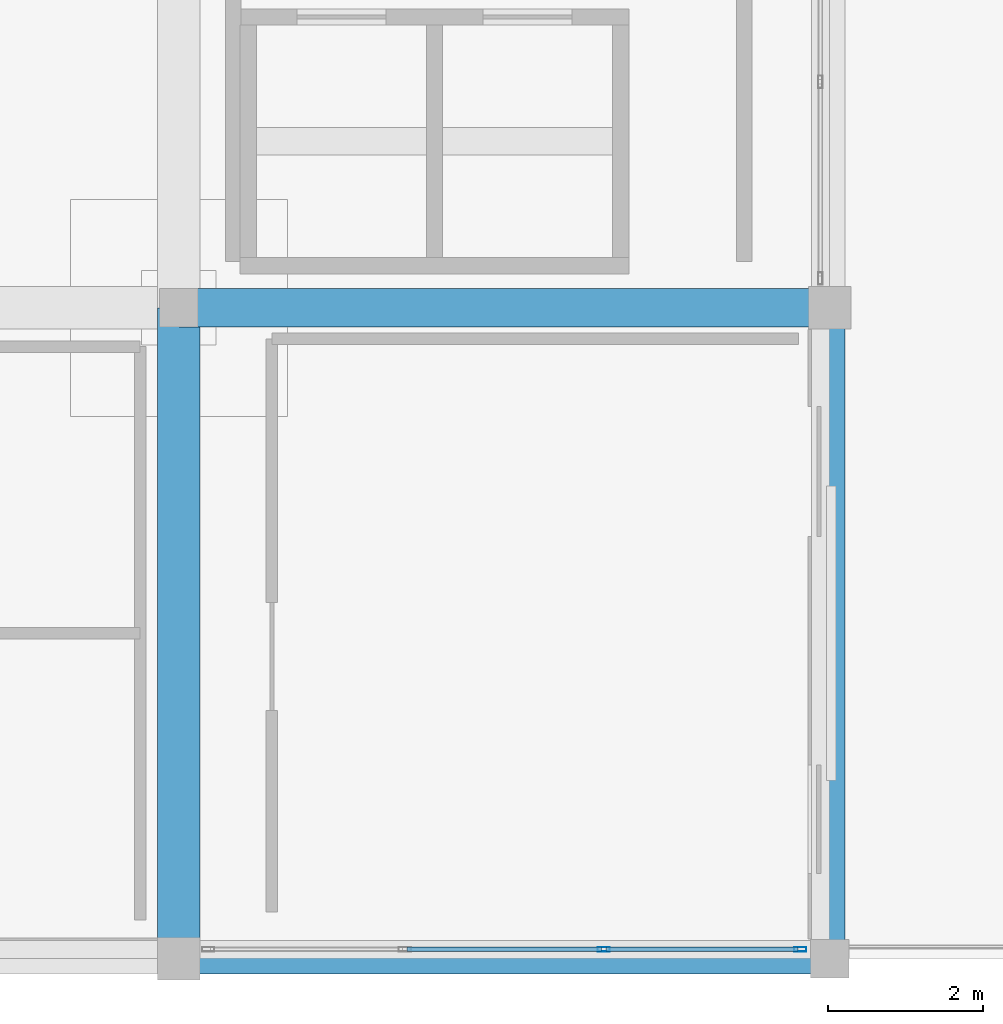
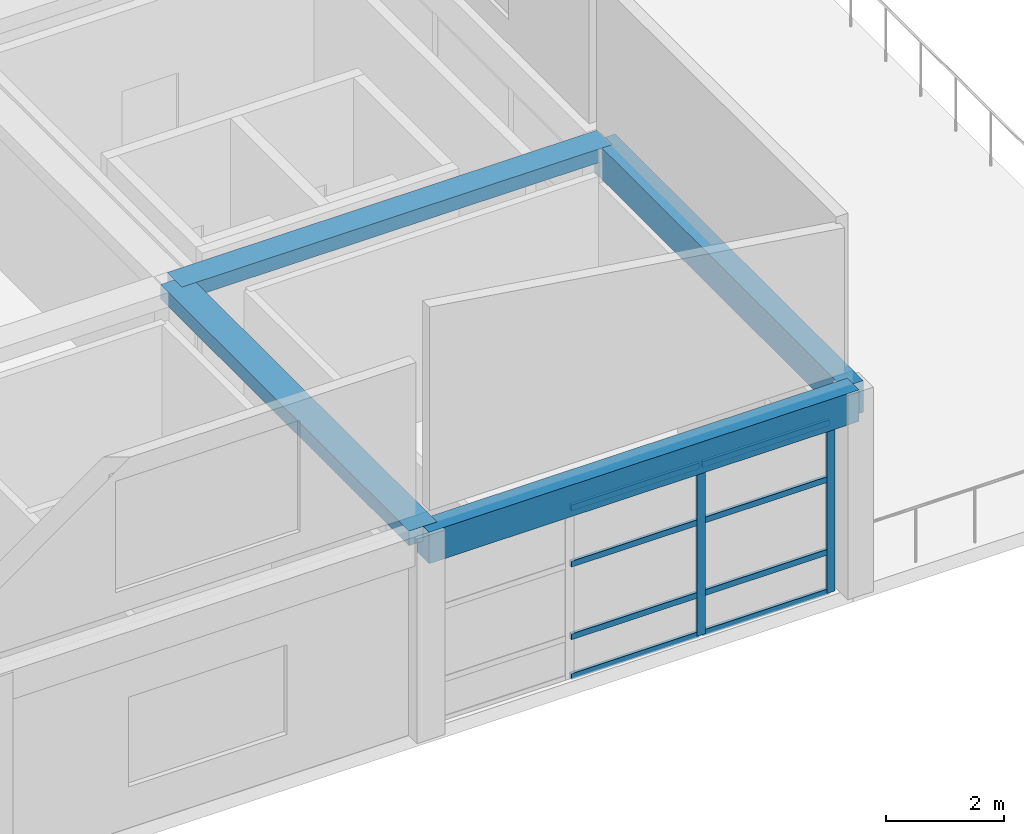
# One storey, part 6 of 17: 10 members, 4 beams, 1 element without a shape of its own.
"""IFC4 building model written with IfcOpenShell, lengths in metres."""

from ifc_helpers import new_model, si_unit, direction, frame, origin, origin_2d, place, context, subcontext, project, spatial, rectangle, hollow_rectangle, extrude, material, material_profile, profile_set, type_object, element, aggregate, save


model = new_model("IFC4")

# Units and contexts
model_context = context("Model", 3, precision=1e-05, world=origin(), true_north=direction((0.0, 1.0)))
body_context = subcontext(model_context, "Body", "Model", "MODEL_VIEW")
ifc_project = project(units=[si_unit("LENGTHUNIT", "METRE"), si_unit("AREAUNIT", "SQUARE_METRE"), si_unit("VOLUMEUNIT", "CUBIC_METRE"), si_unit("PLANEANGLEUNIT", "RADIAN"), si_unit("MASSUNIT", "GRAM", prefix="KILO")], contexts=[model_context])

# Site, building, storey
site_placement = place(None, origin())
site = spatial("IfcSite", under=ifc_project, at=site_placement, CompositionType="ELEMENT")
building_placement = place(site_placement, origin())
building = spatial("IfcBuilding", under=site, at=building_placement, Name="Almacenes y Pasaje Nevantli", CompositionType="ELEMENT")
storey_placement = place(building_placement, frame((0.0, 0.0, 66.699951171875)))
storey = spatial("IfcBuildingStorey", under=building, at=storey_placement, Name="L16", CompositionType="ELEMENT", Elevation=66.699951171875)

# Beams
ifc_material_1 = material(Name="Concrete C35/45", Category="concrete")
ifc_material_profile_1 = material_profile(ifc_material_1, rectangle(XDim=0.39990234375, YDim=0.64990234375, at=origin_2d()), Name="RC-BM-400x650")
ifc_profile_set_1 = profile_set([ifc_material_profile_1], Name="Concrete C35/45")
beam_type_1 = type_object("IfcBeamType", Name="BM-RC-400x650", PredefinedType="SPANDREL", material=ifc_profile_set_1)
for number, where, z_axis, x_axis, name in (
    (1, (134.39990234375, 67.199951171875, 3.89501953125), (1.0, 0.0, 0.0), (0.0, 1.0, 0.0), "L16 East-West Reinforced Concrete Beam #4045"),
    (2, (142.800048828125, 67.199951171875, 3.89501953125), (0.0, 1.0, 0.0), (-1.0, 0.0, 0.0), "L16 North-South Reinforced Concrete Beam #4062"),
):
    element("IfcBeam", number, at=place(storey_placement, frame(where, z_axis=z_axis, x_axis=x_axis)), inside=storey, type_object=beam_type_1, Name=name, PredefinedType="SPANDREL", context=body_context, shape_type="SweptSolid", body=[
        extrude(rectangle(XDim=0.39990234375, YDim=0.64990234375, at=origin_2d()), origin(), (0.0, 0.0, 1.0), 8.400146484375),
    ])
ifc_material_2 = material(Name="Concrete C35/45", Category="concrete")
ifc_material_profile_2 = material_profile(ifc_material_2, rectangle(XDim=0.5, YDim=0.280029296875, at=origin_2d()), Name="RC-BM-500x280")
ifc_profile_set_2 = profile_set([ifc_material_profile_2], Name="Concrete C35/45")
beam_type_2 = type_object("IfcBeamType", Name="BM-RC-500x280", PredefinedType="BEAM", material=ifc_profile_set_2)
beam_1_placement = place(storey_placement, frame((134.39990234375, 75.60009765625, 4.080078125), z_axis=(1.0, 0.0, 0.0), x_axis=(0.0, 1.0, 0.0)))
element("IfcBeam", 3, at=beam_1_placement, inside=storey, type_object=beam_type_2, Name="L16 East-West Reinforced Concrete Beam #4048", PredefinedType="BEAM", context=body_context, shape_type="SweptSolid", body=[
    extrude(rectangle(XDim=0.5, YDim=0.280029296875, at=origin_2d()), origin(), (0.0, 0.0, 1.0), 8.400146484375),
])
ifc_material_3 = material(Name="Concrete C35/45", Category="concrete")
ifc_material_profile_3 = material_profile(ifc_material_3, rectangle(XDim=0.550048828125, YDim=0.300048828125, at=origin_2d()), Name="RC-BM-550x300")
ifc_profile_set_3 = profile_set([ifc_material_profile_3], Name="Concrete C35/45")
beam_type_3 = type_object("IfcBeamType", Name="BM-RC-550x300", PredefinedType="BEAM", material=ifc_profile_set_3)
beam_2_placement = place(storey_placement, frame((134.39990234375, 67.199951171875, 4.070068359375), z_axis=(0.0, 1.0, 0.0), x_axis=(-1.0, 0.0, 0.0)))
element("IfcBeam", 4, at=beam_2_placement, inside=storey, type_object=beam_type_3, Name="L16 North-South Reinforced Concrete Beam #4060", PredefinedType="BEAM", context=body_context, shape_type="SweptSolid", body=[
    extrude(rectangle(XDim=0.550048828125, YDim=0.300048828125, at=origin_2d()), origin(), (0.0, 0.0, 1.0), 8.400146484375),
])

# Curtain wall, members
ifc_material_4 = material(Name="Thermally Broken Aluminium and Low-E Glass", Category="aluminium")
curtain_wall_type = type_object("IfcCurtainWallType", Name="CW-UNIT-TOWER", PredefinedType="USERDEFINED", material=ifc_material_4)
curtain_wall_placement = place(storey_placement, origin())
curtain_wall = element("IfcCurtainWall", 5, at=curtain_wall_placement, inside=storey, type_object=curtain_wall_type, Name="L16 Tower South Unitized Curtain Wall Bay 17", ObjectType="UNITIZED CURTAIN WALL", PredefinedType="USERDEFINED")
ifc_material_5 = material(Name="Thermally Broken Anodized Aluminium", Category="aluminium")
ifc_material_profile_4 = material_profile(ifc_material_5, hollow_rectangle(XDim=0.06005859375, YDim=0.159912109375, WallThickness=0.00390625, at=origin_2d()), Name="ALU-MUL-60x160")
ifc_profile_set_4 = profile_set([ifc_material_profile_4], Name="Thermally Broken Anodized Aluminium")
member_type_1 = type_object("IfcMemberType", Name="CW-MUL-180", PredefinedType="MULLION", material=ifc_profile_set_4)
member_1_placement = place(storey_placement, frame((139.88330078125, 67.320068359375, 0.0), z_axis=(0.0, 0.0, 1.0), x_axis=(0.0, 1.0, 0.0)))
member_1 = element("IfcMember", 6, at=member_1_placement, type_object=member_type_1, Name="CW-L16-193 mullion 3", PredefinedType="MULLION", context=body_context, shape_type="SweptSolid", body=[
    extrude(hollow_rectangle(XDim=0.06005859375, YDim=0.159912109375, WallThickness=0.00390625, at=origin_2d()), origin(), (0.0, 0.0, 1.0), 3.5400390625),
])
member_2_placement = place(storey_placement, frame((142.419921875, 67.320068359375, 0.0), z_axis=(0.0, 0.0, 1.0), x_axis=(0.0, 1.0, 0.0)))
member_2 = element("IfcMember", 7, at=member_2_placement, type_object=member_type_1, Name="CW-L16-193 mullion 4", PredefinedType="MULLION", context=body_context, shape_type="SweptSolid", body=[
    extrude(hollow_rectangle(XDim=0.06005859375, YDim=0.159912109375, WallThickness=0.00390625, at=origin_2d()), origin(), (0.0, 0.0, 1.0), 3.5400390625),
])
ifc_material_6 = material(Name="Thermally Broken Anodized Aluminium", Category="aluminium")
ifc_material_profile_5 = material_profile(ifc_material_6, hollow_rectangle(XDim=0.06005859375, YDim=0.1201171875, WallThickness=0.00341796875, at=origin_2d()), Name="ALU-TRN-60x120")
ifc_profile_set_5 = profile_set([ifc_material_profile_5], Name="Thermally Broken Anodized Aluminium")
member_type_2 = type_object("IfcMemberType", Name="CW-TRN-130", PredefinedType="USERDEFINED", material=ifc_profile_set_5)
member_3_placement = place(storey_placement, frame((137.3466796875, 67.320068359375, 0.030029296875), z_axis=(1.0, 0.0, 0.0), x_axis=(0.0, 1.0, 0.0)))
member_3 = element("IfcMember", 8, at=member_3_placement, type_object=member_type_2, Name="CW-L16-193 transom 2.1", ObjectType="TRANSOM", PredefinedType="USERDEFINED", context=body_context, shape_type="SweptSolid", body=[
    extrude(hollow_rectangle(XDim=0.06005859375, YDim=0.1201171875, WallThickness=0.00341796875, at=origin_2d()), origin(), (0.0, 0.0, 1.0), 2.506591796875),
])
member_4_placement = place(storey_placement, frame((137.3466796875, 67.320068359375, 0.85009765625), z_axis=(1.0, 0.0, 0.0), x_axis=(0.0, 1.0, 0.0)))
member_4 = element("IfcMember", 9, at=member_4_placement, type_object=member_type_2, Name="CW-L16-193 transom 2.2", ObjectType="TRANSOM", PredefinedType="USERDEFINED", context=body_context, shape_type="SweptSolid", body=[
    extrude(hollow_rectangle(XDim=0.06005859375, YDim=0.1201171875, WallThickness=0.00341796875, at=origin_2d()), origin(), (0.0, 0.0, 1.0), 2.506591796875),
])
member_5_placement = place(storey_placement, frame((137.3466796875, 67.320068359375, 2.35009765625), z_axis=(1.0, 0.0, 0.0), x_axis=(0.0, 1.0, 0.0)))
member_5 = element("IfcMember", 10, at=member_5_placement, type_object=member_type_2, Name="CW-L16-193 transom 2.3", ObjectType="TRANSOM", PredefinedType="USERDEFINED", context=body_context, shape_type="SweptSolid", body=[
    extrude(hollow_rectangle(XDim=0.06005859375, YDim=0.1201171875, WallThickness=0.00341796875, at=origin_2d()), origin(), (0.0, 0.0, 1.0), 2.506591796875),
])
member_6_placement = place(storey_placement, frame((137.3466796875, 67.320068359375, 3.510009765625), z_axis=(1.0, 0.0, 0.0), x_axis=(0.0, 1.0, 0.0)))
member_6 = element("IfcMember", 11, at=member_6_placement, type_object=member_type_2, Name="CW-L16-193 transom 2.4", ObjectType="TRANSOM", PredefinedType="USERDEFINED", context=body_context, shape_type="SweptSolid", body=[
    extrude(hollow_rectangle(XDim=0.06005859375, YDim=0.1201171875, WallThickness=0.00341796875, at=origin_2d()), origin(), (0.0, 0.0, 1.0), 2.506591796875),
])
member_7_placement = place(storey_placement, frame((139.913330078125, 67.320068359375, 0.030029296875), z_axis=(1.0, 0.0, 0.0), x_axis=(0.0, 1.0, 0.0)))
member_7 = element("IfcMember", 12, at=member_7_placement, type_object=member_type_2, Name="CW-L16-193 transom 3.1", ObjectType="TRANSOM", PredefinedType="USERDEFINED", context=body_context, shape_type="SweptSolid", body=[
    extrude(hollow_rectangle(XDim=0.06005859375, YDim=0.1201171875, WallThickness=0.00341796875, at=origin_2d()), origin(), (0.0, 0.0, 1.0), 2.4765625),
])
member_8_placement = place(storey_placement, frame((139.913330078125, 67.320068359375, 0.85009765625), z_axis=(1.0, 0.0, 0.0), x_axis=(0.0, 1.0, 0.0)))
member_8 = element("IfcMember", 13, at=member_8_placement, type_object=member_type_2, Name="CW-L16-193 transom 3.2", ObjectType="TRANSOM", PredefinedType="USERDEFINED", context=body_context, shape_type="SweptSolid", body=[
    extrude(hollow_rectangle(XDim=0.06005859375, YDim=0.1201171875, WallThickness=0.00341796875, at=origin_2d()), origin(), (0.0, 0.0, 1.0), 2.4765625),
])
member_9_placement = place(storey_placement, frame((139.913330078125, 67.320068359375, 2.35009765625), z_axis=(1.0, 0.0, 0.0), x_axis=(0.0, 1.0, 0.0)))
member_9 = element("IfcMember", 14, at=member_9_placement, type_object=member_type_2, Name="CW-L16-193 transom 3.3", ObjectType="TRANSOM", PredefinedType="USERDEFINED", context=body_context, shape_type="SweptSolid", body=[
    extrude(hollow_rectangle(XDim=0.06005859375, YDim=0.1201171875, WallThickness=0.00341796875, at=origin_2d()), origin(), (0.0, 0.0, 1.0), 2.4765625),
])
member_10_placement = place(storey_placement, frame((139.913330078125, 67.320068359375, 3.510009765625), z_axis=(1.0, 0.0, 0.0), x_axis=(0.0, 1.0, 0.0)))
member_10 = element("IfcMember", 15, at=member_10_placement, type_object=member_type_2, Name="CW-L16-193 transom 3.4", ObjectType="TRANSOM", PredefinedType="USERDEFINED", context=body_context, shape_type="SweptSolid", body=[
    extrude(hollow_rectangle(XDim=0.06005859375, YDim=0.1201171875, WallThickness=0.00341796875, at=origin_2d()), origin(), (0.0, 0.0, 1.0), 2.4765625),
])
aggregate(curtain_wall, [member_1, member_2, member_3, member_4, member_5, member_6, member_7, member_8, member_9, member_10])

save(model, "model.ifc")
